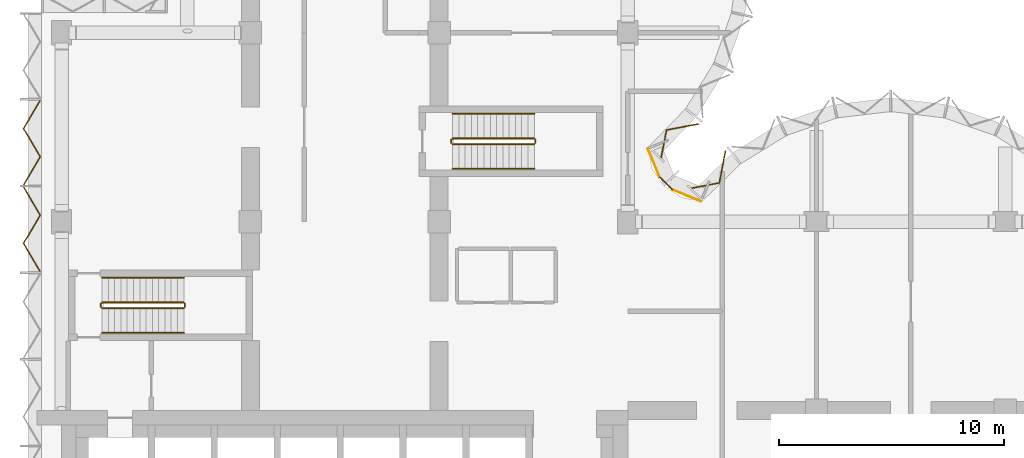
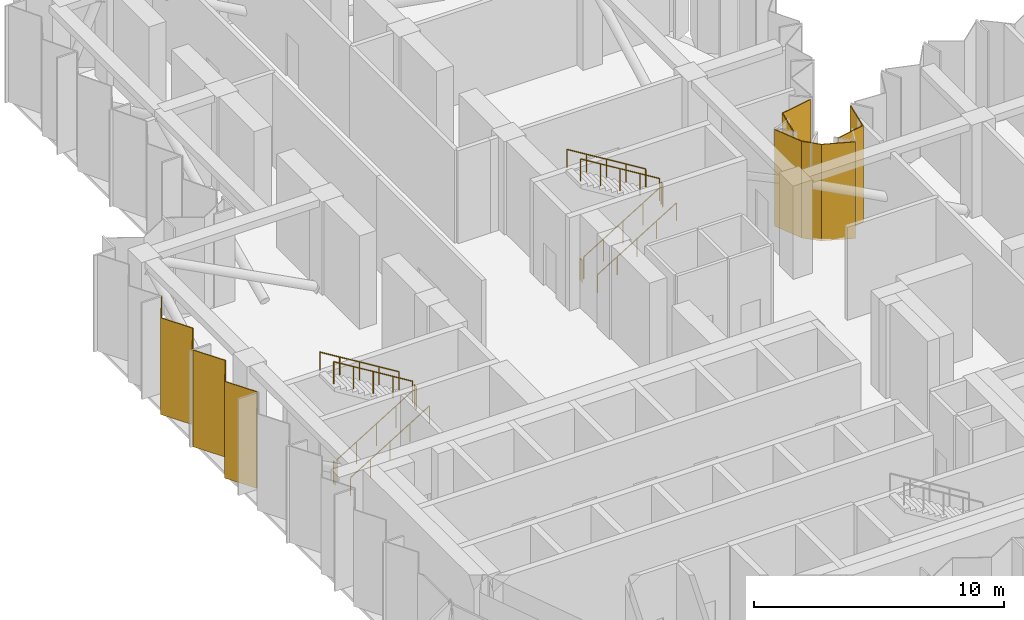
# One storey, part 11 of 13: 12 railings, 7 coverings, 4 elements without a shape of their own.
"""IFC4 building model written with IfcOpenShell, lengths in metres."""

from ifc_helpers import new_model, si_unit, direction, frame, origin, origin_2d, place, context, subcontext, project, spatial, polyline, circle, outline, extrude, material, layer, layer_set, type_object, element, aggregate, save


model = new_model("IFC4")

# Units and contexts
model_context = context("Model", 3, precision=1e-05, world=origin(), true_north=direction((0.0, 1.0)))
body_context = subcontext(model_context, "Body", "Model", "MODEL_VIEW")
ifc_project = project(units=[si_unit("LENGTHUNIT", "METRE"), si_unit("AREAUNIT", "SQUARE_METRE"), si_unit("VOLUMEUNIT", "CUBIC_METRE"), si_unit("PLANEANGLEUNIT", "RADIAN"), si_unit("MASSUNIT", "GRAM", prefix="KILO")], contexts=[model_context])

# Site, building, storey
site_placement = place(None, origin())
site = spatial("IfcSite", under=ifc_project, at=site_placement, CompositionType="ELEMENT")
building_placement = place(site_placement, origin())
building = spatial("IfcBuilding", under=site, at=building_placement, Name="Brevane Broadcast Tower", CompositionType="ELEMENT")
storey_placement = place(building_placement, frame((0.0, 0.0, 162.0)))
storey = spatial("IfcBuildingStorey", under=building, at=storey_placement, Name="L40", CompositionType="ELEMENT", Elevation=162.0)

# Curtain wall, covering
ifc_material_1 = material(Name="Aluminium 6063-T6 bronze anodised", Category="aluminium")
curtain_wall_type = type_object("IfcCurtainWallType", Name="CW-3 curtain wall", PredefinedType="NOTDEFINED", material=ifc_material_1)
curtain_wall_1_placement = place(storey_placement, origin())
curtain_wall_1 = element("IfcCurtainWall", 1, at=curtain_wall_1_placement, inside=storey, type_object=curtain_wall_type, Name="CW-3 refuge louvre unit L40 east bow", PredefinedType="NOTDEFINED")
ifc_material_2 = material(Name="Aluminium bronze anodised cladding", Category="aluminium")
ifc_layer_1 = layer(ifc_material_2, 0.050048828125)
ifc_layer_set_1 = layer_set([ifc_layer_1], Name="CW refuge spandrel 50")
covering_type_1 = type_object("IfcCoveringType", Name="CW refuge spandrel 50", PredefinedType="CLADDING", material=ifc_layer_set_1)
covering_1_placement = place(storey_placement, frame((0.0, 0.0, -0.159912109375)))
covering_1 = element("IfcCovering", 2, at=covering_1_placement, type_object=covering_type_1, Name="Refuge cladding panel", PredefinedType="CLADDING", context=body_context, shape_type="SweptSolid", body=[
    extrude(outline(polyline([(29.564697265625, 28.340576171875), (29.531982421875, 28.382568359375), (29.2607421875, 26.9423828125), (27.97900390625, 26.693603515625), (28.01220703125, 26.659423828125), (29.294921875, 26.908203125), (29.564697265625, 28.340576171875)])), origin(), (0.0, 0.0, 1.0), 4.7099609375),
])
aggregate(curtain_wall_1, [covering_1])

# Curtain wall, coverings
curtain_wall_2_placement = place(storey_placement, origin())
curtain_wall_2 = element("IfcCurtainWall", 3, at=curtain_wall_2_placement, inside=storey, type_object=curtain_wall_type, Name="CW-3 refuge louvre unit L40 inner corner", PredefinedType="NOTDEFINED")
covering_2_placement = place(storey_placement, frame((0.0, 0.0, -0.159912109375)))
covering_2 = element("IfcCovering", 4, at=covering_2_placement, type_object=covering_type_1, Name="Refuge cladding panel", PredefinedType="CLADDING", context=body_context, shape_type="SweptSolid", body=[
    extrude(outline(polyline([(28.447021484375, 26.07666015625), (28.46240234375, 26.113525390625), (27.20703125, 26.63330078125), (27.176513671875, 26.602783203125), (28.447021484375, 26.07666015625)])), origin(), (0.0, 0.0, 1.0), 4.7099609375),
])
covering_3_placement = place(storey_placement, frame((0.0, 0.0, -0.159912109375)))
covering_3 = element("IfcCovering", 5, at=covering_3_placement, type_object=covering_type_1, Name="Refuge cladding panel", PredefinedType="CLADDING", context=body_context, shape_type="SweptSolid", body=[
    extrude(outline(polyline([(26.602783203125, 27.176513671875), (26.63330078125, 27.20703125), (26.113525390625, 28.46240234375), (26.07666015625, 28.447021484375), (26.602783203125, 27.176513671875)])), origin(), (0.0, 0.0, 1.0), 4.7099609375),
])

# Curtain wall, covering
curtain_wall_3_placement = place(storey_placement, origin())
curtain_wall_3 = element("IfcCurtainWall", 6, at=curtain_wall_3_placement, inside=storey, type_object=curtain_wall_type, Name="CW-3 refuge louvre unit L40 north bow", PredefinedType="NOTDEFINED")
covering_4_placement = place(storey_placement, frame((0.0, 0.0, -0.159912109375)))
covering_4 = element("IfcCovering", 7, at=covering_4_placement, type_object=covering_type_1, Name="Refuge cladding panel", PredefinedType="CLADDING", context=body_context, shape_type="SweptSolid", body=[
    extrude(outline(polyline([(26.659423828125, 28.01220703125), (26.693603515625, 27.97900390625), (26.9423828125, 29.2607421875), (28.382568359375, 29.531982421875), (28.340576171875, 29.564697265625), (26.908203125, 29.294921875), (26.659423828125, 28.01220703125)])), origin(), (0.0, 0.0, 1.0), 4.7099609375),
])
aggregate(curtain_wall_3, [covering_4])

# Curtain wall, coverings
curtain_wall_4_placement = place(storey_placement, origin())
curtain_wall_4 = element("IfcCurtainWall", 8, at=curtain_wall_4_placement, inside=storey, type_object=curtain_wall_type, Name="CW-3 refuge louvre unit L40 west face", PredefinedType="NOTDEFINED")
covering_5_placement = place(storey_placement, frame((0.0, 0.0, -0.159912109375)))
covering_5 = element("IfcCovering", 9, at=covering_5_placement, type_object=covering_type_1, Name="Refuge cladding panel", PredefinedType="CLADDING", context=body_context, shape_type="SweptSolid", body=[
    extrude(outline(polyline([(-0.9267578125, 30.602783203125), (-0.97314453125, 30.602783203125), (-1.717529296875, 29.34375), (-0.97314453125, 28.084716796875), (-1.717529296875, 26.82568359375), (-1.671142578125, 26.82568359375), (-0.9267578125, 28.084716796875), (-1.671142578125, 29.34375), (-0.9267578125, 30.602783203125)])), origin(), (0.0, 0.0, 1.0), 4.7099609375),
])
covering_6_placement = place(storey_placement, frame((0.0, 0.0, -0.159912109375)))
covering_6 = element("IfcCovering", 10, at=covering_6_placement, type_object=covering_type_1, Name="Refuge cladding panel", PredefinedType="CLADDING", context=body_context, shape_type="SweptSolid", body=[
    extrude(outline(polyline([(-1.671142578125, 26.74560546875), (-1.717529296875, 26.74560546875), (-0.97314453125, 25.48681640625), (-1.717529296875, 24.2275390625), (-0.97314453125, 22.968505859375), (-0.9267578125, 22.968505859375), (-1.671142578125, 24.2275390625), (-0.9267578125, 25.48681640625), (-1.671142578125, 26.74560546875)])), origin(), (0.0, 0.0, 1.0), 4.7099609375),
])
aggregate(curtain_wall_4, [covering_5, covering_6])

# Railings
ifc_material_3 = material(Name="Steel S355", Category="steel")
railing_type_1 = type_object("IfcRailingType", Name="Exit stair guard", PredefinedType="GUARDRAIL", material=ifc_material_3)
railing_1_placement = place(storey_placement, frame((1.800048828125, 21.35009765625, 0.17138671875)))
element("IfcRailing", 11, at=railing_1_placement, inside=storey, type_object=railing_type_1, Name="L40 ST-1 stair guard 1", PredefinedType="GUARDRAIL", context=body_context, shape_type="SweptSolid", body=[
    extrude(circle(Radius=0.02392578125, at=origin_2d()), frame((0.0, 0.0, 1.076171875), z_axis=(0.852850264322, 0.0, 0.5221555579), x_axis=(0.0, 1.0, 0.0)), (0.0, 0.0, 1.0), 4.267822265625),
    extrude(circle(Radius=0.02099609375, at=origin_2d()), origin(), (0.0, 0.0, 1.0), 1.052001953125),
    extrude(circle(Radius=0.02099609375, at=origin_2d()), frame((0.909912109375, 0.0, 0.55712890625)), (0.0, 0.0, 1.0), 1.052001953125),
    extrude(circle(Radius=0.02099609375, at=origin_2d()), frame((1.81982421875, 0.0, 1.1142578125)), (0.0, 0.0, 1.0), 1.052001953125),
    extrude(circle(Radius=0.02099609375, at=origin_2d()), frame((2.72998046875, 0.0, 1.67138671875)), (0.0, 0.0, 1.0), 1.052001953125),
    extrude(circle(Radius=0.02099609375, at=origin_2d()), frame((3.639892578125, 0.0, 2.228515625)), (0.0, 0.0, 1.0), 1.052001953125),
])
railing_2_placement = place(storey_placement, frame((5.489990234375, 21.39990234375, 2.39990234375)))
element("IfcRailing", 12, at=railing_2_placement, inside=storey, type_object=railing_type_1, Name="L40 ST-1 stair guard 2", PredefinedType="GUARDRAIL", context=body_context, shape_type="SweptSolid", body=[
    extrude(circle(Radius=0.02392578125, at=origin_2d()), frame((0.0, 0.0, 1.076171875), z_axis=(0.0, 1.0, 0.0), x_axis=(-1.0, 0.0, 0.0)), (0.0, 0.0, 1.0), 0.150146484375),
    extrude(circle(Radius=0.02099609375, at=origin_2d()), origin(), (0.0, 0.0, 1.0), 1.052001953125),
    extrude(circle(Radius=0.02099609375, at=origin_2d()), frame((0.0, 0.150146484375, 0.0)), (0.0, 0.0, 1.0), 1.052001953125),
])
railing_3_placement = place(storey_placement, frame((5.43994140625, 21.60009765625, 2.571533203125)))
element("IfcRailing", 13, at=railing_3_placement, inside=storey, type_object=railing_type_1, Name="L40 ST-1 stair guard 3", PredefinedType="GUARDRAIL", context=body_context, shape_type="SweptSolid", body=[
    extrude(circle(Radius=0.02392578125, at=origin_2d()), frame((0.0, 0.0, 1.076171875), z_axis=(-0.852850264322, 0.0, 0.5221555579), x_axis=(0.0, -1.0, 0.0)), (0.0, 0.0, 1.0), 4.267822265625),
    extrude(circle(Radius=0.02099609375, at=origin_2d()), origin(), (0.0, 0.0, 1.0), 1.052001953125),
    extrude(circle(Radius=0.02099609375, at=origin_2d()), frame((-0.909912109375, 0.0, 0.55712890625)), (0.0, 0.0, 1.0), 1.052001953125),
    extrude(circle(Radius=0.02099609375, at=origin_2d()), frame((-1.81982421875, 0.0, 1.1142578125)), (0.0, 0.0, 1.0), 1.052001953125),
    extrude(circle(Radius=0.02099609375, at=origin_2d()), frame((-2.72998046875, 0.0, 1.67138671875)), (0.0, 0.0, 1.0), 1.052001953125),
    extrude(circle(Radius=0.02099609375, at=origin_2d()), frame((-3.639892578125, 0.0, 2.228515625)), (0.0, 0.0, 1.0), 1.052001953125),
])
railing_4_placement = place(storey_placement, frame((1.75, 21.39990234375, 0.0)))
element("IfcRailing", 14, at=railing_4_placement, inside=storey, type_object=railing_type_1, Name="L40 ST-1 stair guard 4", PredefinedType="GUARDRAIL", context=body_context, shape_type="SweptSolid", body=[
    extrude(circle(Radius=0.02392578125, at=origin_2d()), frame((0.0, 0.0, 1.076171875), z_axis=(0.0, 1.0, 0.0), x_axis=(-1.0, 0.0, 0.0)), (0.0, 0.0, 1.0), 0.150146484375),
    extrude(circle(Radius=0.02099609375, at=origin_2d()), origin(), (0.0, 0.0, 1.0), 1.052001953125),
    extrude(circle(Radius=0.02099609375, at=origin_2d()), frame((0.0, 0.150146484375, 0.0)), (0.0, 0.0, 1.0), 1.052001953125),
])
railing_5_placement = place(storey_placement, frame((17.39990234375, 28.64990234375, 0.17138671875)))
element("IfcRailing", 15, at=railing_5_placement, inside=storey, type_object=railing_type_1, Name="L40 ST-3 stair guard 1", PredefinedType="GUARDRAIL", context=body_context, shape_type="SweptSolid", body=[
    extrude(circle(Radius=0.02392578125, at=origin_2d()), frame((0.0, 0.0, 1.076171875), z_axis=(0.852865859571, 0.0, 0.52213008492), x_axis=(0.0, 1.0, 0.0)), (0.0, 0.0, 1.0), 4.26806640625),
    extrude(circle(Radius=0.02099609375, at=origin_2d()), origin(), (0.0, 0.0, 1.0), 1.052001953125),
    extrude(circle(Radius=0.02099609375, at=origin_2d()), frame((0.91015625, 0.0, 0.55712890625)), (0.0, 0.0, 1.0), 1.052001953125),
    extrude(circle(Radius=0.02099609375, at=origin_2d()), frame((1.820068359375, 0.0, 1.1142578125)), (0.0, 0.0, 1.0), 1.052001953125),
    extrude(circle(Radius=0.02099609375, at=origin_2d()), frame((2.72998046875, 0.0, 1.67138671875)), (0.0, 0.0, 1.0), 1.052001953125),
    extrude(circle(Radius=0.02099609375, at=origin_2d()), frame((3.64013671875, 0.0, 2.228515625)), (0.0, 0.0, 1.0), 1.052001953125),
])
railing_6_placement = place(storey_placement, frame((21.090087890625, 28.699951171875, 2.39990234375)))
element("IfcRailing", 16, at=railing_6_placement, inside=storey, type_object=railing_type_1, Name="L40 ST-3 stair guard 2", PredefinedType="GUARDRAIL", context=body_context, shape_type="SweptSolid", body=[
    extrude(circle(Radius=0.02392578125, at=origin_2d()), frame((0.0, 0.0, 1.076171875), z_axis=(0.0, 1.0, 0.0), x_axis=(-1.0, 0.0, 0.0)), (0.0, 0.0, 1.0), 0.150146484375),
    extrude(circle(Radius=0.02099609375, at=origin_2d()), origin(), (0.0, 0.0, 1.0), 1.052001953125),
    extrude(circle(Radius=0.02099609375, at=origin_2d()), frame((0.0, 0.150146484375, 0.0)), (0.0, 0.0, 1.0), 1.052001953125),
])
railing_7_placement = place(storey_placement, frame((21.0400390625, 28.89990234375, 2.571533203125)))
element("IfcRailing", 17, at=railing_7_placement, inside=storey, type_object=railing_type_1, Name="L40 ST-3 stair guard 3", PredefinedType="GUARDRAIL", context=body_context, shape_type="SweptSolid", body=[
    extrude(circle(Radius=0.02392578125, at=origin_2d()), frame((0.0, 0.0, 1.076171875), z_axis=(-0.852865859571, 0.0, 0.52213008492), x_axis=(0.0, -1.0, 0.0)), (0.0, 0.0, 1.0), 4.26806640625),
    extrude(circle(Radius=0.02099609375, at=origin_2d()), origin(), (0.0, 0.0, 1.0), 1.052001953125),
    extrude(circle(Radius=0.02099609375, at=origin_2d()), frame((-0.91015625, 0.0, 0.55712890625)), (0.0, 0.0, 1.0), 1.052001953125),
    extrude(circle(Radius=0.02099609375, at=origin_2d()), frame((-1.820068359375, 0.0, 1.1142578125)), (0.0, 0.0, 1.0), 1.052001953125),
    extrude(circle(Radius=0.02099609375, at=origin_2d()), frame((-2.72998046875, 0.0, 1.67138671875)), (0.0, 0.0, 1.0), 1.052001953125),
    extrude(circle(Radius=0.02099609375, at=origin_2d()), frame((-3.64013671875, 0.0, 2.228515625)), (0.0, 0.0, 1.0), 1.052001953125),
])
railing_8_placement = place(storey_placement, frame((17.35009765625, 28.699951171875, 0.0)))
element("IfcRailing", 18, at=railing_8_placement, inside=storey, type_object=railing_type_1, Name="L40 ST-3 stair guard 4", PredefinedType="GUARDRAIL", context=body_context, shape_type="SweptSolid", body=[
    extrude(circle(Radius=0.02392578125, at=origin_2d()), frame((0.0, 0.0, 1.076171875), z_axis=(0.0, 1.0, 0.0), x_axis=(-1.0, 0.0, 0.0)), (0.0, 0.0, 1.0), 0.150146484375),
    extrude(circle(Radius=0.02099609375, at=origin_2d()), origin(), (0.0, 0.0, 1.0), 1.052001953125),
    extrude(circle(Radius=0.02099609375, at=origin_2d()), frame((0.0, 0.150146484375, 0.0)), (0.0, 0.0, 1.0), 1.052001953125),
])
railing_type_2 = type_object("IfcRailingType", Name="Exit stair handrail", PredefinedType="HANDRAIL", material=ifc_material_3)
railing_9_placement = place(storey_placement, frame((1.800048828125, 20.25, 0.17138671875)))
element("IfcRailing", 19, at=railing_9_placement, inside=storey, type_object=railing_type_2, Name="L40 ST-1 stair handrail 1", PredefinedType="HANDRAIL", context=body_context, shape_type="SweptSolid", body=[
    extrude(circle(Radius=0.02392578125, at=origin_2d()), frame((0.0, 0.0, 0.8759765625), z_axis=(0.852850264322, 0.0, 0.5221555579), x_axis=(0.0, 1.0, 0.0)), (0.0, 0.0, 1.0), 4.267822265625),
    extrude(circle(Radius=0.02099609375, at=origin_2d()), origin(), (0.0, 0.0, 1.0), 0.851806640625),
    extrude(circle(Radius=0.02099609375, at=origin_2d()), frame((0.909912109375, 0.0, 0.55712890625)), (0.0, 0.0, 1.0), 0.851806640625),
    extrude(circle(Radius=0.02099609375, at=origin_2d()), frame((1.81982421875, 0.0, 1.1142578125)), (0.0, 0.0, 1.0), 0.851806640625),
    extrude(circle(Radius=0.02099609375, at=origin_2d()), frame((2.72998046875, 0.0, 1.67138671875)), (0.0, 0.0, 1.0), 0.851806640625),
    extrude(circle(Radius=0.02099609375, at=origin_2d()), frame((3.639892578125, 0.0, 2.228515625)), (0.0, 0.0, 1.0), 0.851806640625),
])
railing_10_placement = place(storey_placement, frame((5.43994140625, 22.699951171875, 2.571533203125)))
element("IfcRailing", 20, at=railing_10_placement, inside=storey, type_object=railing_type_2, Name="L40 ST-1 stair handrail 2", PredefinedType="HANDRAIL", context=body_context, shape_type="SweptSolid", body=[
    extrude(circle(Radius=0.02392578125, at=origin_2d()), frame((0.0, 0.0, 0.8759765625), z_axis=(-0.852850264322, 0.0, 0.5221555579), x_axis=(0.0, -1.0, 0.0)), (0.0, 0.0, 1.0), 4.267822265625),
    extrude(circle(Radius=0.02099609375, at=origin_2d()), origin(), (0.0, 0.0, 1.0), 0.851806640625),
    extrude(circle(Radius=0.02099609375, at=origin_2d()), frame((-0.909912109375, 0.0, 0.55712890625)), (0.0, 0.0, 1.0), 0.851806640625),
    extrude(circle(Radius=0.02099609375, at=origin_2d()), frame((-1.81982421875, 0.0, 1.1142578125)), (0.0, 0.0, 1.0), 0.851806640625),
    extrude(circle(Radius=0.02099609375, at=origin_2d()), frame((-2.72998046875, 0.0, 1.67138671875)), (0.0, 0.0, 1.0), 0.851806640625),
    extrude(circle(Radius=0.02099609375, at=origin_2d()), frame((-3.639892578125, 0.0, 2.228515625)), (0.0, 0.0, 1.0), 0.851806640625),
])
railing_11_placement = place(storey_placement, frame((17.39990234375, 27.550048828125, 0.17138671875)))
element("IfcRailing", 21, at=railing_11_placement, inside=storey, type_object=railing_type_2, Name="L40 ST-3 stair handrail 1", PredefinedType="HANDRAIL", context=body_context, shape_type="SweptSolid", body=[
    extrude(circle(Radius=0.02392578125, at=origin_2d()), frame((0.0, 0.0, 0.8759765625), z_axis=(0.852865859571, 0.0, 0.52213008492), x_axis=(0.0, 1.0, 0.0)), (0.0, 0.0, 1.0), 4.26806640625),
    extrude(circle(Radius=0.02099609375, at=origin_2d()), origin(), (0.0, 0.0, 1.0), 0.851806640625),
    extrude(circle(Radius=0.02099609375, at=origin_2d()), frame((0.91015625, 0.0, 0.55712890625)), (0.0, 0.0, 1.0), 0.851806640625),
    extrude(circle(Radius=0.02099609375, at=origin_2d()), frame((1.820068359375, 0.0, 1.1142578125)), (0.0, 0.0, 1.0), 0.851806640625),
    extrude(circle(Radius=0.02099609375, at=origin_2d()), frame((2.72998046875, 0.0, 1.67138671875)), (0.0, 0.0, 1.0), 0.851806640625),
    extrude(circle(Radius=0.02099609375, at=origin_2d()), frame((3.64013671875, 0.0, 2.228515625)), (0.0, 0.0, 1.0), 0.851806640625),
])
railing_12_placement = place(storey_placement, frame((21.0400390625, 30.0, 2.571533203125)))
element("IfcRailing", 22, at=railing_12_placement, inside=storey, type_object=railing_type_2, Name="L40 ST-3 stair handrail 2", PredefinedType="HANDRAIL", context=body_context, shape_type="SweptSolid", body=[
    extrude(circle(Radius=0.02392578125, at=origin_2d()), frame((0.0, 0.0, 0.8759765625), z_axis=(-0.852865859571, 0.0, 0.52213008492), x_axis=(0.0, -1.0, 0.0)), (0.0, 0.0, 1.0), 4.26806640625),
    extrude(circle(Radius=0.02099609375, at=origin_2d()), origin(), (0.0, 0.0, 1.0), 0.851806640625),
    extrude(circle(Radius=0.02099609375, at=origin_2d()), frame((-0.91015625, 0.0, 0.55712890625)), (0.0, 0.0, 1.0), 0.851806640625),
    extrude(circle(Radius=0.02099609375, at=origin_2d()), frame((-1.820068359375, 0.0, 1.1142578125)), (0.0, 0.0, 1.0), 0.851806640625),
    extrude(circle(Radius=0.02099609375, at=origin_2d()), frame((-2.72998046875, 0.0, 1.67138671875)), (0.0, 0.0, 1.0), 0.851806640625),
    extrude(circle(Radius=0.02099609375, at=origin_2d()), frame((-3.64013671875, 0.0, 2.228515625)), (0.0, 0.0, 1.0), 0.851806640625),
])

# Covering
ifc_material_4 = material(Name="Back-painted bronze glass shadow-box", Category="glass")
ifc_layer_2 = layer(ifc_material_4, 0.0400390625)
ifc_layer_set_2 = layer_set([ifc_layer_2], Name="Shadow-box panel 40")
covering_type_2 = type_object("IfcCoveringType", Name="Shadow-box panel 40", PredefinedType="CLADDING", material=ifc_layer_set_2)
covering_7_placement = place(storey_placement, frame((0.0, 0.0, -0.159912109375)))
covering_7 = element("IfcCovering", 23, at=covering_7_placement, type_object=covering_type_2, Name="Closure panel", PredefinedType="CLADDING", context=body_context, shape_type="SweptSolid", body=[
    extrude(outline(polyline([(27.176513671875, 26.602783203125), (27.20703125, 26.63330078125), (26.63330078125, 27.20703125), (26.602783203125, 27.176513671875), (27.176513671875, 26.602783203125)])), origin(), (0.0, 0.0, 1.0), 4.7099609375),
])

aggregate(curtain_wall_2, [covering_2, covering_3, covering_7])

save(model, "model.ifc")
